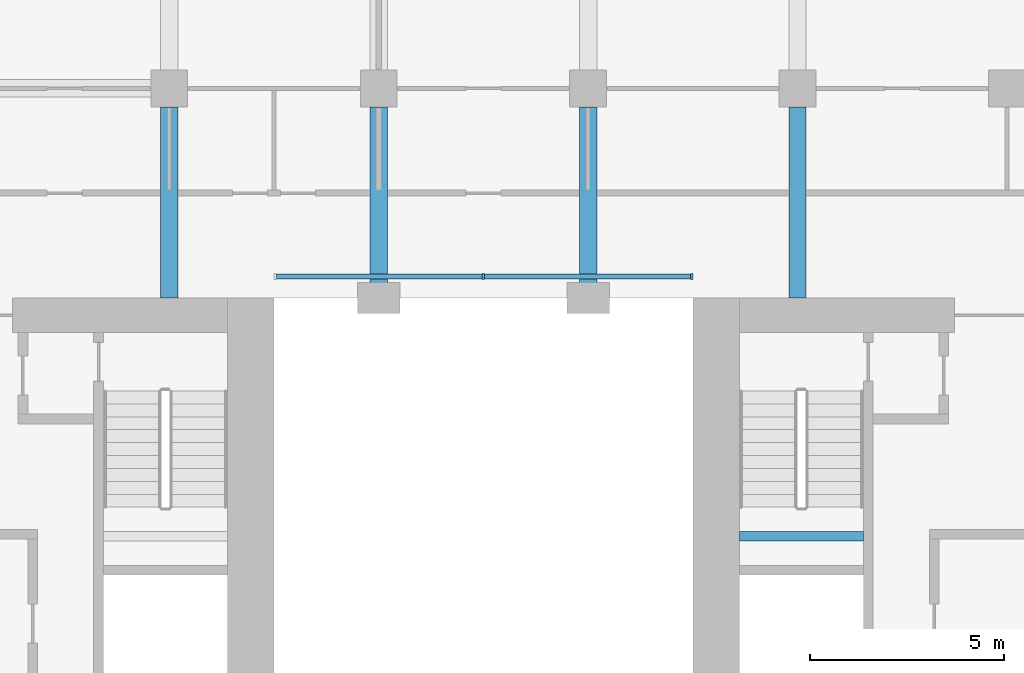
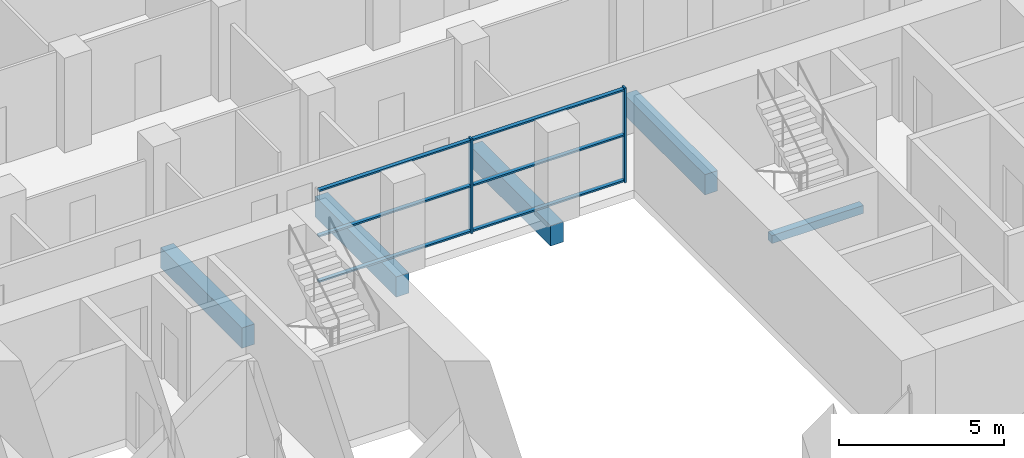
# One storey, part 4 of 13: 8 members, 5 beams, 1 element without a shape of its own.
"""IFC4 building model written with IfcOpenShell, lengths in metres."""

from ifc_helpers import new_model, si_unit, direction, frame, origin, origin_2d, place, context, subcontext, project, spatial, rectangle, extrude, material, material_profile, profile_set, type_object, element, aggregate, save


model = new_model("IFC4")

# Units and contexts
model_context = context("Model", 3, precision=1e-05, world=origin(), true_north=direction((0.0, 1.0)))
body_context = subcontext(model_context, "Body", "Model", "MODEL_VIEW")
ifc_project = project(units=[si_unit("LENGTHUNIT", "METRE"), si_unit("AREAUNIT", "SQUARE_METRE"), si_unit("VOLUMEUNIT", "CUBIC_METRE"), si_unit("PLANEANGLEUNIT", "RADIAN"), si_unit("MASSUNIT", "GRAM", prefix="KILO")], contexts=[model_context])

# Site, building, storey
site_placement = place(None, origin())
site = spatial("IfcSite", under=ifc_project, at=site_placement, CompositionType="ELEMENT")
building_placement = place(site_placement, origin())
building = spatial("IfcBuilding", under=site, at=building_placement, Name="Tabaq Tower and Sports Hall", CompositionType="ELEMENT")
storey_placement = place(building_placement, frame((0.0, 0.0, 103.0)))
storey = spatial("IfcBuildingStorey", under=building, at=storey_placement, Name="L24", CompositionType="ELEMENT", Elevation=103.0)

# Curtain wall, members
ifc_material_1 = material(Name="Aluminium alloy 6063-T6 framed glazing", Category="aluminium")
curtain_wall_type = type_object("IfcCurtainWallType", Name="CW1 curtain wall", PredefinedType="USERDEFINED", material=ifc_material_1)
curtain_wall_placement = place(storey_placement, origin())
curtain_wall = element("IfcCurtainWall", 1, at=curtain_wall_placement, inside=storey, type_object=curtain_wall_type, Name="Atrium glazing L24 N", ObjectType="ATRIUM ENCLOSURE", PredefinedType="USERDEFINED")
ifc_material_2 = material(Name="Aluminium alloy 6063-T6", Category="aluminium")
ifc_material_profile_1 = material_profile(ifc_material_2, rectangle(XDim=0.159912109375, YDim=0.06005859375, at=origin_2d()), Name="MULLION 160x60")
ifc_profile_set_1 = profile_set([ifc_material_profile_1], Name="Aluminium alloy 6063-T6")
member_type_1 = type_object("IfcMemberType", Name="CW1 mullion 160x60", PredefinedType="MULLION", material=ifc_profile_set_1)
member_1_placement = place(storey_placement, frame((24.300048828125, 32.949951171875, 0.0), z_axis=(0.0, 0.0, 1.0), x_axis=(0.0, 1.0, 0.0)))
member_1 = element("IfcMember", 2, at=member_1_placement, type_object=member_type_1, Name="CW1 mullion 2", PredefinedType="MULLION", context=body_context, shape_type="SweptSolid", body=[
    extrude(rectangle(XDim=0.159912109375, YDim=0.06005859375, at=origin_2d()), origin(), (0.0, 0.0, 1.0), 3.5),
])
member_2_placement = place(storey_placement, frame((29.669921875, 32.949951171875, 0.0), z_axis=(0.0, 0.0, 1.0), x_axis=(0.0, 1.0, 0.0)))
member_2 = element("IfcMember", 3, at=member_2_placement, type_object=member_type_1, Name="CW1 mullion 3", PredefinedType="MULLION", context=body_context, shape_type="SweptSolid", body=[
    extrude(rectangle(XDim=0.159912109375, YDim=0.06005859375, at=origin_2d()), origin(), (0.0, 0.0, 1.0), 3.5),
])
ifc_material_3 = material(Name="Aluminium alloy 6063-T6", Category="aluminium")
ifc_material_profile_2 = material_profile(ifc_material_3, rectangle(XDim=0.139892578125, YDim=0.06005859375, at=origin_2d()), Name="TRANSOM 140x60")
ifc_profile_set_2 = profile_set([ifc_material_profile_2], Name="Aluminium alloy 6063-T6")
member_type_2 = type_object("IfcMemberType", Name="CW1 transom 140x60", PredefinedType="USERDEFINED", material=ifc_profile_set_2)
member_3_placement = place(storey_placement, frame((18.9599609375, 32.949951171875, 0.070068359375), z_axis=(1.0, 0.0, 0.0), x_axis=(0.0, 1.0, 0.0)))
member_3 = element("IfcMember", 4, at=member_3_placement, type_object=member_type_2, Name="CW1 transom 1.1", ObjectType="TRANSOM", PredefinedType="USERDEFINED", context=body_context, shape_type="SweptSolid", body=[
    extrude(rectangle(XDim=0.139892578125, YDim=0.06005859375, at=origin_2d()), origin(), (0.0, 0.0, 1.0), 5.31005859375),
])
member_4_placement = place(storey_placement, frame((18.9599609375, 32.949951171875, 1.75), z_axis=(1.0, 0.0, 0.0), x_axis=(0.0, 1.0, 0.0)))
member_4 = element("IfcMember", 5, at=member_4_placement, type_object=member_type_2, Name="CW1 transom 1.2", ObjectType="TRANSOM", PredefinedType="USERDEFINED", context=body_context, shape_type="SweptSolid", body=[
    extrude(rectangle(XDim=0.139892578125, YDim=0.06005859375, at=origin_2d()), origin(), (0.0, 0.0, 1.0), 5.31005859375),
])
member_5_placement = place(storey_placement, frame((18.9599609375, 32.949951171875, 3.429931640625), z_axis=(1.0, 0.0, 0.0), x_axis=(0.0, 1.0, 0.0)))
member_5 = element("IfcMember", 6, at=member_5_placement, type_object=member_type_2, Name="CW1 transom 1.3", ObjectType="TRANSOM", PredefinedType="USERDEFINED", context=body_context, shape_type="SweptSolid", body=[
    extrude(rectangle(XDim=0.139892578125, YDim=0.06005859375, at=origin_2d()), origin(), (0.0, 0.0, 1.0), 5.31005859375),
])
member_6_placement = place(storey_placement, frame((24.330078125, 32.949951171875, 0.070068359375), z_axis=(1.0, 0.0, 0.0), x_axis=(0.0, 1.0, 0.0)))
member_6 = element("IfcMember", 7, at=member_6_placement, type_object=member_type_2, Name="CW1 transom 2.1", ObjectType="TRANSOM", PredefinedType="USERDEFINED", context=body_context, shape_type="SweptSolid", body=[
    extrude(rectangle(XDim=0.139892578125, YDim=0.06005859375, at=origin_2d()), origin(), (0.0, 0.0, 1.0), 5.309814453125),
])
member_7_placement = place(storey_placement, frame((24.330078125, 32.949951171875, 1.75), z_axis=(1.0, 0.0, 0.0), x_axis=(0.0, 1.0, 0.0)))
member_7 = element("IfcMember", 8, at=member_7_placement, type_object=member_type_2, Name="CW1 transom 2.2", ObjectType="TRANSOM", PredefinedType="USERDEFINED", context=body_context, shape_type="SweptSolid", body=[
    extrude(rectangle(XDim=0.139892578125, YDim=0.06005859375, at=origin_2d()), origin(), (0.0, 0.0, 1.0), 5.309814453125),
])
member_8_placement = place(storey_placement, frame((24.330078125, 32.949951171875, 3.429931640625), z_axis=(1.0, 0.0, 0.0), x_axis=(0.0, 1.0, 0.0)))
member_8 = element("IfcMember", 9, at=member_8_placement, type_object=member_type_2, Name="CW1 transom 2.3", ObjectType="TRANSOM", PredefinedType="USERDEFINED", context=body_context, shape_type="SweptSolid", body=[
    extrude(rectangle(XDim=0.139892578125, YDim=0.06005859375, at=origin_2d()), origin(), (0.0, 0.0, 1.0), 5.309814453125),
])
aggregate(curtain_wall, [member_1, member_2, member_3, member_4, member_5, member_6, member_7, member_8])

# Beams
ifc_material_4 = material(Name="Concrete C40/50", Category="concrete")
ifc_material_profile_3 = material_profile(ifc_material_4, rectangle(XDim=0.449951171875, YDim=0.75, at=origin_2d()), Name="CB 450x750")
ifc_profile_set_3 = profile_set([ifc_material_profile_3], Name="Concrete C40/50")
beam_type_1 = type_object("IfcBeamType", Name="PT CANTILEVER BEAM CB 450x750 C40/50", PredefinedType="BEAM", material=ifc_profile_set_3)
for number, where, z_axis, x_axis, name in (
    (10, (16.199951171875, 37.324951171875, -0.675048828125), (0.0, -1.0, 0.0), (1.0, 0.0, 0.0), "Cantilever Beam L24 N3 span 3"),
    (11, (21.60009765625, 37.324951171875, -0.675048828125), (0.0, -1.0, 0.0), (1.0, 0.0, 0.0), "Cantilever Beam L24 N4 span 3"),
    (12, (27.0, 37.324951171875, -0.675048828125), (0.0, -1.0, 0.0), (1.0, 0.0, 0.0), "Cantilever Beam L24 N5 span 3"),
    (13, (32.39990234375, 37.324951171875, -0.675048828125), (0.0, -1.0, 0.0), (1.0, 0.0, 0.0), "Cantilever Beam L24 N6 span 3"),
):
    element("IfcBeam", number, at=place(storey_placement, frame(where, z_axis=z_axis, x_axis=x_axis)), inside=storey, type_object=beam_type_1, Name=name, PredefinedType="BEAM", context=body_context, shape_type="SweptSolid", body=[
        extrude(rectangle(XDim=0.449951171875, YDim=0.75, at=origin_2d()), origin(), (0.0, 0.0, 1.0), 4.925048828125),
    ])
ifc_material_5 = material(Name="Concrete C40/50", Category="concrete")
ifc_material_profile_4 = material_profile(ifc_material_5, rectangle(XDim=0.25, YDim=0.300048828125, at=origin_2d()), Name="RC 250x300")
ifc_profile_set_4 = profile_set([ifc_material_profile_4], Name="Concrete C40/50")
beam_type_2 = type_object("IfcBeamType", Name="Stair landing beam 250x300", PredefinedType="BEAM", material=ifc_profile_set_4)
beam_placement = place(storey_placement, frame((30.89990234375, 26.25, 1.550048828125), z_axis=(1.0, 0.0, 0.0), x_axis=(0.0, 1.0, 0.0)))
element("IfcBeam", 14, at=beam_placement, inside=storey, type_object=beam_type_2, Name="L24 ST4 landing beam 1", PredefinedType="BEAM", context=body_context, shape_type="SweptSolid", body=[
    extrude(rectangle(XDim=0.25, YDim=0.300048828125, at=origin_2d()), origin(), (0.0, 0.0, 1.0), 3.2001953125),
])

save(model, "model.ifc")
